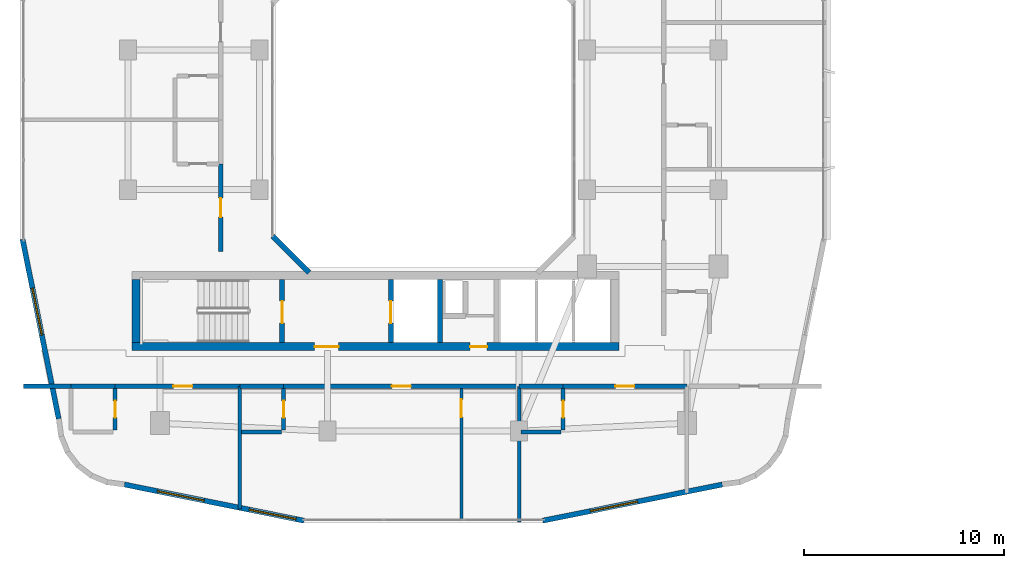
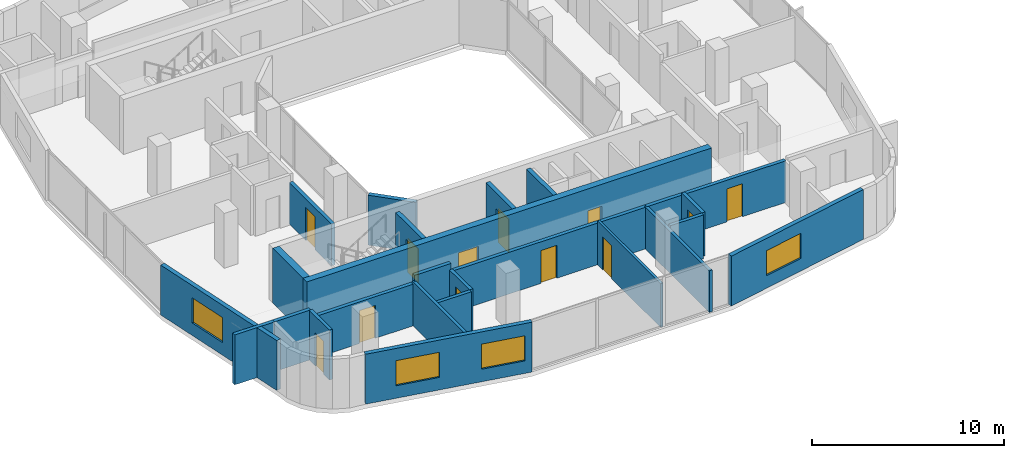
# One storey, part 12 of 26: 25 walls, 12 doors, 4 windows, 16 openings.
"""IFC4 building model written with IfcOpenShell, lengths in metres."""

from ifc_helpers import new_model, si_unit, derived_unit, direction, frame, frame_2d, origin, place, context, subcontext, project, spatial, rectangle, extrude, material, layer, layer_set, type_object, element, fill, save


model = new_model("IFC4")

# Units and contexts
model_context = context("Model", 3, precision=1e-05, world=origin(), true_north=direction((0.0, 1.0)))
body_context = subcontext(model_context, "Body", "Model", "MODEL_VIEW")
ifc_project = project(units=[si_unit("LENGTHUNIT", "METRE"), si_unit("AREAUNIT", "SQUARE_METRE"), si_unit("VOLUMEUNIT", "CUBIC_METRE"), si_unit("PLANEANGLEUNIT", "RADIAN"), si_unit("MASSUNIT", "GRAM", prefix="KILO"), derived_unit("THERMALTRANSMITTANCEUNIT", [(si_unit("POWERUNIT", "WATT"), 1), (si_unit("LENGTHUNIT", "METRE"), -2), (si_unit("THERMODYNAMICTEMPERATUREUNIT", "KELVIN"), -1)])], contexts=[model_context])

# Site, building, storey
site_placement = place(None, origin())
site = spatial("IfcSite", under=ifc_project, at=site_placement, CompositionType="ELEMENT")
building_placement = place(site_placement, origin())
building = spatial("IfcBuilding", under=site, at=building_placement, Name="Kivonza Crest Hotel", CompositionType="ELEMENT")
storey_placement = place(building_placement, frame((0.0, 0.0, 116.0)))
storey = spatial("IfcBuildingStorey", under=building, at=storey_placement, Name="L31", CompositionType="ELEMENT", Elevation=116.0)

# Walls
ifc_material_1 = material(Name="High-density acoustic masonry inter-tenancy wall", Category="masonry")
ifc_layer_1 = layer(ifc_material_1, 0.179931640625)
ifc_layer_set_1 = layer_set([ifc_layer_1], Name="High-density acoustic masonry inter-tenancy wall")
wall_type_1 = type_object("IfcWallType", Name="WL-ACOU-180", PredefinedType="SOLIDWALL", material=ifc_layer_set_1)
wall_1_placement = place(storey_placement, frame((11.800048828125, 5.492919921875, 0.0), z_axis=(0.0, 0.0, 1.0), x_axis=(0.0, 1.0, 0.0)))
element("IfcWall", 1, at=wall_1_placement, inside=storey, type_object=wall_type_1, Name="L31 interior partition WA-L31-T1S-DIV1", PredefinedType="SOLIDWALL", context=body_context, shape_type="SweptSolid", body=[
    extrude(rectangle(XDim=6.156982421875, YDim=0.179931640625, at=frame_2d((3.07861328125, 0.0))), origin(), (0.0, 0.0, 1.0), 2.794921875),
])
wall_2_placement = place(storey_placement, frame((25.800048828125, 4.860107421875, 0.0), z_axis=(0.0, 0.0, 1.0), x_axis=(0.0, 1.0, 0.0)))
element("IfcWall", 2, at=wall_2_placement, inside=storey, type_object=wall_type_1, Name="L31 interior partition WA-L31-T1S-DIV2", PredefinedType="SOLIDWALL", context=body_context, shape_type="SweptSolid", body=[
    extrude(rectangle(XDim=6.789794921875, YDim=0.179931640625, at=frame_2d((3.39501953125, 0.0))), origin(), (0.0, 0.0, 1.0), 2.655029296875),
])
ifc_material_2 = material(Name="Autoclaved aerated concrete blockwork", Category="masonry")
ifc_layer_2 = layer(ifc_material_2, 0.219970703125)
ifc_layer_set_2 = layer_set([ifc_layer_2], Name="Autoclaved aerated concrete blockwork")
wall_type_2 = type_object("IfcWallType", Name="WL-ACOU-220", PredefinedType="SOLIDWALL", material=ifc_layer_set_2)
wall_3_placement = place(storey_placement, frame((0.9599609375, 11.64990234375, 0.0), z_axis=(0.0, 0.0, 1.0), x_axis=(1.0, 0.0, 0.0)))
element("IfcWall", 3, at=wall_3_placement, inside=storey, type_object=wall_type_2, Name="L31 interior partition WA-L31-S04-XCORR", PredefinedType="SOLIDWALL", context=body_context, shape_type="SweptSolid", body=[
    extrude(rectangle(XDim=2.39013671875, YDim=0.219970703125, at=frame_2d((1.195068359375, 0.0))), origin(), (0.0, 0.0, 1.0), 3.179931640625),
])
wall_4_placement = place(storey_placement, frame((3.35009765625, 11.64990234375, 0.0), z_axis=(0.0, 0.0, 1.0), x_axis=(1.0, 0.0, 0.0)))
element("IfcWall", 4, at=wall_4_placement, inside=storey, type_object=wall_type_2, Name="L31 interior partition WA-L31-S04-BCORR", PredefinedType="SOLIDWALL", context=body_context, shape_type="SweptSolid", body=[
    extrude(rectangle(XDim=2.199951171875, YDim=0.219970703125, at=frame_2d((1.10009765625, 0.0))), origin(), (0.0, 0.0, 1.0), 3.179931640625),
])

# Wall, opening, door
wall_5_placement = place(storey_placement, frame((5.550048828125, 11.64990234375, 0.0), z_axis=(0.0, 0.0, 1.0), x_axis=(1.0, 0.0, 0.0)))
wall_5 = element("IfcWall", 5, at=wall_5_placement, inside=storey, type_object=wall_type_2, Name="L31 interior partition WA-L31-S04-MCORR", PredefinedType="SOLIDWALL", context=body_context, shape_type="SweptSolid", body=[
    extrude(rectangle(XDim=6.25, YDim=0.219970703125, at=frame_2d((3.125, 0.0))), origin(), (0.0, 0.0, 1.0), 2.655029296875),
])
opening_1_placement = place(wall_5_placement, frame((2.929931640625, 0.0, 0.0)))
opening_1 = element("IfcOpeningElement", 6, at=opening_1_placement, cuts=wall_5, Name="Opening DU-60", PredefinedType="OPENING", context=body_context, shape_type="SweptSolid", body=[
    extrude(rectangle(XDim=0.949951171875, YDim=2.10009765625, at=frame_2d((0.47509765625, 1.050048828125))), frame((0.0, 0.1201171875, 0.0), z_axis=(0.0, -1.0, 0.0), x_axis=(1.0, 0.0, 0.0)), (0.0, 0.0, 1.0), 0.239990234375),
])
ifc_material_3 = material(Name="Hardwood timber oak", Category="wood")
door_type_1 = type_object("IfcDoorType", Name="DR-UNIT-950", OperationType="NOTDEFINED", PredefinedType="DOOR", material=ifc_material_3)
door_1_placement = place(opening_1_placement, frame((0.949951171875, 0.0, 0.0), z_axis=(0.0, 0.0, 1.0), x_axis=(-1.0, 0.0, 0.0)))
door_1 = element("IfcDoor", 7, at=door_1_placement, inside=storey, type_object=door_type_1, Name="L31 S04 guest unit entrance fire door", OperationType="SINGLE_SWING_RIGHT", OverallHeight=2.10009765625, OverallWidth=0.949951171875, PredefinedType="DOOR", context=body_context, shape_type="SweptSolid", body=[
    extrude(rectangle(XDim=0.949951171875, YDim=2.10009765625, at=frame_2d((0.47509765625, 1.050048828125))), frame((0.0, 0.02490234375, 0.0), z_axis=(0.0, -1.0, 0.0), x_axis=(1.0, 0.0, 0.0)), (0.0, 0.0, 1.0), 0.050048828125),
])
fill(opening_1, door_1)

# Wall
wall_6_placement = place(storey_placement, frame((11.800048828125, 11.64990234375, 0.0), z_axis=(0.0, 0.0, 1.0), x_axis=(1.0, 0.0, 0.0)))
element("IfcWall", 8, at=wall_6_placement, inside=storey, type_object=wall_type_2, Name="L31 interior partition WA-L31-S05-BCORR", PredefinedType="SOLIDWALL", context=body_context, shape_type="SweptSolid", body=[
    extrude(rectangle(XDim=2.199951171875, YDim=0.219970703125, at=frame_2d((1.10009765625, 0.0))), origin(), (0.0, 0.0, 1.0), 3.179931640625),
])

# Wall, opening, door
wall_7_placement = place(storey_placement, frame((14.0, 11.64990234375, 0.0), z_axis=(0.0, 0.0, 1.0), x_axis=(1.0, 0.0, 0.0)))
wall_7 = element("IfcWall", 9, at=wall_7_placement, inside=storey, type_object=wall_type_2, Name="L31 interior partition WA-L31-S05-MCORR", PredefinedType="SOLIDWALL", context=body_context, shape_type="SweptSolid", body=[
    extrude(rectangle(XDim=11.800048828125, YDim=0.219970703125, at=frame_2d((5.89990234375, 0.0))), origin(), (0.0, 0.0, 1.0), 2.655029296875),
])
opening_2_placement = place(wall_7_placement, frame((5.425048828125, 0.0, 0.0)))
opening_2 = element("IfcOpeningElement", 10, at=opening_2_placement, cuts=wall_7, Name="Opening DU-60", PredefinedType="OPENING", context=body_context, shape_type="SweptSolid", body=[
    extrude(rectangle(XDim=0.949951171875, YDim=2.10009765625, at=frame_2d((0.47509765625, 1.050048828125))), frame((0.0, 0.1201171875, 0.0), z_axis=(0.0, -1.0, 0.0), x_axis=(1.0, 0.0, 0.0)), (0.0, 0.0, 1.0), 0.239990234375),
])
door_2_placement = place(opening_2_placement, frame((0.949951171875, 0.0, 0.0), z_axis=(0.0, 0.0, 1.0), x_axis=(-1.0, 0.0, 0.0)))
door_2 = element("IfcDoor", 11, at=door_2_placement, inside=storey, type_object=door_type_1, Name="L31 S05 guest unit entrance fire door", OperationType="SINGLE_SWING_LEFT", OverallHeight=2.10009765625, OverallWidth=0.949951171875, PredefinedType="DOOR", context=body_context, shape_type="SweptSolid", body=[
    extrude(rectangle(XDim=0.949951171875, YDim=2.10009765625, at=frame_2d((0.47509765625, 1.050048828125))), frame((0.0, 0.02490234375, 0.0), z_axis=(0.0, -1.0, 0.0), x_axis=(1.0, 0.0, 0.0)), (0.0, 0.0, 1.0), 0.050048828125),
])
fill(opening_2, door_2)

# Wall
wall_8_placement = place(storey_placement, frame((25.800048828125, 11.64990234375, 0.0), z_axis=(0.0, 0.0, 1.0), x_axis=(1.0, 0.0, 0.0)))
element("IfcWall", 12, at=wall_8_placement, inside=storey, type_object=wall_type_2, Name="L31 interior partition WA-L31-S06-BCORR", PredefinedType="SOLIDWALL", context=body_context, shape_type="SweptSolid", body=[
    extrude(rectangle(XDim=2.199951171875, YDim=0.219970703125, at=frame_2d((1.10009765625, 0.0))), origin(), (0.0, 0.0, 1.0), 2.655029296875),
])

# Wall, opening, door
wall_9_placement = place(storey_placement, frame((28.0, 11.64990234375, 0.0), z_axis=(0.0, 0.0, 1.0), x_axis=(1.0, 0.0, 0.0)))
wall_9 = element("IfcWall", 13, at=wall_9_placement, inside=storey, type_object=wall_type_2, Name="L31 interior partition WA-L31-S06-MCORR", PredefinedType="SOLIDWALL", context=body_context, shape_type="SweptSolid", body=[
    extrude(rectangle(XDim=6.199951171875, YDim=0.219970703125, at=frame_2d((3.10009765625, 0.0))), origin(), (0.0, 0.0, 1.0), 2.655029296875),
])
opening_3_placement = place(wall_9_placement, frame((2.625, 0.0, 0.0)))
opening_3 = element("IfcOpeningElement", 14, at=opening_3_placement, cuts=wall_9, Name="Opening DU-60", PredefinedType="OPENING", context=body_context, shape_type="SweptSolid", body=[
    extrude(rectangle(XDim=0.949951171875, YDim=2.10009765625, at=frame_2d((0.47509765625, 1.050048828125))), frame((0.0, 0.1201171875, 0.0), z_axis=(0.0, -1.0, 0.0), x_axis=(1.0, 0.0, 0.0)), (0.0, 0.0, 1.0), 0.239990234375),
])
door_3_placement = place(opening_3_placement, frame((0.949951171875, 0.0, 0.0), z_axis=(0.0, 0.0, 1.0), x_axis=(-1.0, 0.0, 0.0)))
door_3 = element("IfcDoor", 15, at=door_3_placement, inside=storey, type_object=door_type_1, Name="L31 S06 guest unit entrance fire door", OperationType="SINGLE_SWING_RIGHT", OverallHeight=2.10009765625, OverallWidth=0.949951171875, PredefinedType="DOOR", context=body_context, shape_type="SweptSolid", body=[
    extrude(rectangle(XDim=0.949951171875, YDim=2.10009765625, at=frame_2d((0.47509765625, 1.050048828125))), frame((0.0, 0.02490234375, 0.0), z_axis=(0.0, -1.0, 0.0), x_axis=(1.0, 0.0, 0.0)), (0.0, 0.0, 1.0), 0.050048828125),
])
fill(opening_3, door_3)

wall_10_placement = place(storey_placement, frame((10.85009765625, 18.39990234375, 0.0), z_axis=(0.0, 0.0, 1.0), x_axis=(0.0, 1.0, 0.0)))
wall_10 = element("IfcWall", 16, at=wall_10_placement, inside=storey, type_object=wall_type_2, Name="L31 interior partition WA-L31-W07-MCORR", PredefinedType="SOLIDWALL", context=body_context, shape_type="SweptSolid", body=[
    extrude(rectangle(XDim=4.400146484375, YDim=0.219970703125, at=frame_2d((2.2001953125, 0.0))), origin(), (0.0, 0.0, 1.0), 2.655029296875),
])
opening_4_placement = place(wall_10_placement, frame((1.72509765625, 0.0, 0.0)))
opening_4 = element("IfcOpeningElement", 17, at=opening_4_placement, cuts=wall_10, Name="Opening DU-60", PredefinedType="OPENING", context=body_context, shape_type="SweptSolid", body=[
    extrude(rectangle(XDim=0.949951171875, YDim=2.10009765625, at=frame_2d((0.47509765625, 1.050048828125))), frame((0.0, 0.1201171875, 0.0), z_axis=(0.0, -1.0, 0.0), x_axis=(1.0, 0.0, 0.0)), (0.0, 0.0, 1.0), 0.239990234375),
])
door_4_placement = place(opening_4_placement, origin())
door_4 = element("IfcDoor", 18, at=door_4_placement, inside=storey, type_object=door_type_1, Name="L31 W07 guest unit entrance fire door", OperationType="SINGLE_SWING_LEFT", OverallHeight=2.10009765625, OverallWidth=0.949951171875, PredefinedType="DOOR", context=body_context, shape_type="SweptSolid", body=[
    extrude(rectangle(XDim=0.949951171875, YDim=2.10009765625, at=frame_2d((0.47509765625, 1.050048828125))), frame((0.0, 0.02490234375, 0.0), z_axis=(0.0, -1.0, 0.0), x_axis=(1.0, 0.0, 0.0)), (0.0, 0.0, 1.0), 0.050048828125),
])
fill(opening_4, door_4)

# Wall, openings, doors
ifc_material_4 = material(Name="Concrete C50/60", Category="concrete")
ifc_layer_3 = layer(ifc_material_4, 0.39990234375)
ifc_layer_set_3 = layer_set([ifc_layer_3], Name="Concrete C50/60")
wall_type_3 = type_object("IfcWallType", Name="WL-CORE-400", PredefinedType="SHEAR", material=ifc_layer_set_3)
wall_11_placement = place(storey_placement, frame((6.39990234375, 13.639892578125, 0.0), z_axis=(0.0, 0.0, 1.0), x_axis=(1.0, 0.0, 0.0)))
wall_11 = element("IfcWall", 19, at=wall_11_placement, inside=storey, type_object=wall_type_3, Name="Core wall T1-S South L31", PredefinedType="SHEAR", context=body_context, shape_type="SweptSolid", body=[
    extrude(rectangle(XDim=24.400146484375, YDim=0.39990234375, at=frame_2d((12.2001953125, 0.0))), origin(), (0.0, 0.0, 1.0), 3.5),
])
opening_5_placement = place(wall_11_placement, frame((9.14990234375, 0.0, 0.0)))
opening_5 = element("IfcOpeningElement", 20, at=opening_5_placement, cuts=wall_11, Name="Opening DF-60", PredefinedType="OPENING", context=body_context, shape_type="SweptSolid", body=[
    extrude(rectangle(XDim=1.199951171875, YDim=2.14990234375, at=frame_2d((0.60009765625, 1.074951171875))), frame((0.0, 0.2099609375, 0.0), z_axis=(0.0, -1.0, 0.0), x_axis=(1.0, 0.0, 0.0)), (0.0, 0.0, 1.0), 0.419921875),
])
opening_6_placement = place(wall_11_placement, frame((16.93994140625, 0.0, 0.0)))
opening_6 = element("IfcOpeningElement", 21, at=opening_6_placement, cuts=wall_11, Name="Opening DF-60R", PredefinedType="OPENING", context=body_context, shape_type="SweptSolid", body=[
    extrude(rectangle(XDim=0.85009765625, YDim=2.10009765625, at=frame_2d((0.425048828125, 1.050048828125))), frame((0.0, 0.2099609375, 0.0), z_axis=(0.0, -1.0, 0.0), x_axis=(1.0, 0.0, 0.0)), (0.0, 0.0, 1.0), 0.419921875),
])
door_type_2 = type_object("IfcDoorType", Name="DR-FD60-1200", OperationType="NOTDEFINED", PredefinedType="DOOR", material=ifc_material_3)
door_5_placement = place(opening_5_placement, frame((1.199951171875, 0.0, 0.0), z_axis=(0.0, 0.0, 1.0), x_axis=(-1.0, 0.0, 0.0)))
door_5 = element("IfcDoor", 22, at=door_5_placement, inside=storey, type_object=door_type_2, Name="L31 T1-S firefighting lobby fire door", OperationType="SINGLE_SWING_LEFT", OverallHeight=2.14990234375, OverallWidth=1.199951171875, PredefinedType="DOOR", context=body_context, shape_type="SweptSolid", body=[
    extrude(rectangle(XDim=1.199951171875, YDim=2.14990234375, at=frame_2d((0.60009765625, 1.074951171875))), frame((0.0, 0.02490234375, 0.0), z_axis=(0.0, -1.0, 0.0), x_axis=(1.0, 0.0, 0.0)), (0.0, 0.0, 1.0), 0.050048828125),
])
fill(opening_5, door_5)
door_type_3 = type_object("IfcDoorType", Name="DR-FD60-850", OperationType="NOTDEFINED", PredefinedType="DOOR", material=ifc_material_3)
door_6_placement = place(opening_6_placement, frame((0.85009765625, 0.0, 0.0), z_axis=(0.0, 0.0, 1.0), x_axis=(-1.0, 0.0, 0.0)))
door_6 = element("IfcDoor", 23, at=door_6_placement, inside=storey, type_object=door_type_3, Name="L31 T1-S core room door", OperationType="SINGLE_SWING_RIGHT", OverallHeight=2.10009765625, OverallWidth=0.85009765625, PredefinedType="DOOR", context=body_context, shape_type="SweptSolid", body=[
    extrude(rectangle(XDim=0.85009765625, YDim=2.10009765625, at=frame_2d((0.425048828125, 1.050048828125))), frame((0.0, 0.02490234375, 0.0), z_axis=(0.0, -1.0, 0.0), x_axis=(1.0, 0.0, 0.0)), (0.0, 0.0, 1.0), 0.050048828125),
])
fill(opening_6, door_6)

# Wall
wall_12_placement = place(storey_placement, frame((6.60009765625, 13.840087890625, 0.0), z_axis=(0.0, 0.0, 1.0), x_axis=(0.0, 1.0, 0.0)))
element("IfcWall", 24, at=wall_12_placement, inside=storey, type_object=wall_type_3, Name="Core wall T1-S West L31", PredefinedType="SHEAR", context=body_context, shape_type="SweptSolid", body=[
    extrude(rectangle(XDim=3.159912109375, YDim=0.39990234375, at=frame_2d((1.580078125, 0.0))), origin(), (0.0, 0.0, 1.0), 3.5),
])

# Wall, openings, windows
ifc_material_5 = material(Name="Precast concrete C40/50", Category="concrete")
ifc_layer_4 = layer(ifc_material_5, 0.260009765625)
ifc_layer_set_4 = layer_set([ifc_layer_4], Name="Precast concrete C40/50")
wall_type_4 = type_object("IfcWallType", Name="WL-EXT-260", PredefinedType="STANDARD", material=ifc_layer_set_4)
wall_13_placement = place(storey_placement, frame((6.01806640625, 6.72900390625, 0.0), z_axis=(0.0, 0.0, 1.0), x_axis=(0.980315963543, -0.197435082048, 0.0)))
wall_13 = element("IfcWall", 25, at=wall_13_placement, inside=storey, type_object=wall_type_4, Name="L31 T1 exterior insulated wall 7", PredefinedType="STANDARD", context=body_context, shape_type="SweptSolid", body=[
    extrude(rectangle(XDim=9.1826171875, YDim=0.260009765625, at=frame_2d((4.59130859375, 0.0))), origin(), (0.0, 0.0, 1.0), 3.179931640625),
])
opening_7_placement = place(wall_13_placement, frame((1.68701171875, 0.0, 0.800048828125)))
opening_7 = element("IfcOpeningElement", 26, at=opening_7_placement, cuts=wall_13, Name="Opening WN-05", PredefinedType="OPENING", context=body_context, shape_type="SweptSolid", body=[
    extrude(rectangle(XDim=2.39990234375, YDim=1.60009765625, at=frame_2d((1.199951171875, 0.800048828125))), frame((0.0, 0.14013671875, 0.0), z_axis=(0.0, -1.0, 0.0), x_axis=(1.0, 0.0, 0.0)), (0.0, 0.0, 1.0), 0.280029296875),
])
opening_8_placement = place(wall_13_placement, frame((6.376953125, 0.0, 0.800048828125)))
opening_8 = element("IfcOpeningElement", 27, at=opening_8_placement, cuts=wall_13, Name="Opening WN-05", PredefinedType="OPENING", context=body_context, shape_type="SweptSolid", body=[
    extrude(rectangle(XDim=2.39990234375, YDim=1.60009765625, at=frame_2d((1.199951171875, 0.800048828125))), frame((0.0, 0.14013671875, 0.0), z_axis=(0.0, -1.0, 0.0), x_axis=(1.0, 0.0, 0.0)), (0.0, 0.0, 1.0), 0.280029296875),
])
ifc_material_6 = material(Name="Thermally broken bronze aluminium and low-E double glazing", Category="aluminium")
window_type = type_object("IfcWindowType", Name="WN-240x160", PartitioningType="TRIPLE_PANEL_VERTICAL", PredefinedType="WINDOW", material=ifc_material_6)
window_1_placement = place(opening_7_placement, origin())
window_1 = element("IfcWindow", 28, at=window_1_placement, inside=storey, type_object=window_type, Name="L31 T1 facade window 7 bay 1", OverallHeight=1.60009765625, OverallWidth=2.39990234375, PartitioningType="SINGLE_PANEL", PredefinedType="WINDOW", context=body_context, shape_type="SweptSolid", body=[
    extrude(rectangle(XDim=2.39990234375, YDim=1.60009765625, at=frame_2d((1.199951171875, 0.800048828125))), frame((0.0, 0.030029296875, 0.0), z_axis=(0.0, -1.0, 0.0), x_axis=(1.0, 0.0, 0.0)), (0.0, 0.0, 1.0), 0.06005859375),
])
fill(opening_7, window_1)
window_2_placement = place(opening_8_placement, origin())
window_2 = element("IfcWindow", 29, at=window_2_placement, inside=storey, type_object=window_type, Name="L31 T1 facade window 7 bay 2", OverallHeight=1.60009765625, OverallWidth=2.39990234375, PartitioningType="SINGLE_PANEL", PredefinedType="WINDOW", context=body_context, shape_type="SweptSolid", body=[
    extrude(rectangle(XDim=2.39990234375, YDim=1.60009765625, at=frame_2d((1.199951171875, 0.800048828125))), frame((0.0, 0.030029296875, 0.0), z_axis=(0.0, -1.0, 0.0), x_axis=(1.0, 0.0, 0.0)), (0.0, 0.0, 1.0), 0.06005859375),
])
fill(opening_8, window_2)

# Wall, opening, window
wall_14_placement = place(storey_placement, frame((26.97998046875, 4.916015625, 0.0), z_axis=(0.0, 0.0, 1.0), x_axis=(0.980315963543, 0.197435082048, 0.0)))
wall_14 = element("IfcWall", 30, at=wall_14_placement, inside=storey, type_object=wall_type_4, Name="L31 T1 exterior insulated wall 9", PredefinedType="STANDARD", context=body_context, shape_type="SweptSolid", body=[
    extrude(rectangle(XDim=9.1826171875, YDim=0.260009765625, at=frame_2d((4.59130859375, 0.0))), origin(), (0.0, 0.0, 1.0), 3.179931640625),
])
opening_9_placement = place(wall_14_placement, frame((2.445068359375, 0.0, 0.800048828125)))
opening_9 = element("IfcOpeningElement", 31, at=opening_9_placement, cuts=wall_14, Name="Opening WN-05", PredefinedType="OPENING", context=body_context, shape_type="SweptSolid", body=[
    extrude(rectangle(XDim=2.39990234375, YDim=1.60009765625, at=frame_2d((1.199951171875, 0.800048828125))), frame((0.0, 0.14013671875, 0.0), z_axis=(0.0, -1.0, 0.0), x_axis=(1.0, 0.0, 0.0)), (0.0, 0.0, 1.0), 0.280029296875),
])
window_3_placement = place(opening_9_placement, origin())
window_3 = element("IfcWindow", 32, at=window_3_placement, inside=storey, type_object=window_type, Name="L31 T1 facade window 9", OverallHeight=1.60009765625, OverallWidth=2.39990234375, PartitioningType="SINGLE_PANEL", PredefinedType="WINDOW", context=body_context, shape_type="SweptSolid", body=[
    extrude(rectangle(XDim=2.39990234375, YDim=1.60009765625, at=frame_2d((1.199951171875, 0.800048828125))), frame((0.0, 0.030029296875, 0.0), z_axis=(0.0, -1.0, 0.0), x_axis=(1.0, 0.0, 0.0)), (0.0, 0.0, 1.0), 0.06005859375),
])
fill(opening_9, window_3)

wall_15_placement = place(storey_placement, frame((0.916015625, 19.02001953125, 0.0), z_axis=(0.0, 0.0, 1.0), x_axis=(0.197435082048, -0.980315963543, 0.0)))
wall_15 = element("IfcWall", 33, at=wall_15_placement, inside=storey, type_object=wall_type_4, Name="L31 T1 exterior insulated wall 36", PredefinedType="STANDARD", context=body_context, shape_type="SweptSolid", body=[
    extrude(rectangle(XDim=9.1826171875, YDim=0.260009765625, at=frame_2d((4.59130859375, 0.0))), origin(), (0.0, 0.0, 1.0), 3.179931640625),
])
opening_10_placement = place(wall_15_placement, frame((2.4970703125, 0.0, 0.800048828125)))
opening_10 = element("IfcOpeningElement", 34, at=opening_10_placement, cuts=wall_15, Name="Opening WN-05", PredefinedType="OPENING", context=body_context, shape_type="SweptSolid", body=[
    extrude(rectangle(XDim=2.39990234375, YDim=1.60009765625, at=frame_2d((1.199951171875, 0.800048828125))), frame((0.0, 0.14013671875, 0.0), z_axis=(0.0, -1.0, 0.0), x_axis=(1.0, 0.0, 0.0)), (0.0, 0.0, 1.0), 0.280029296875),
])
window_4_placement = place(opening_10_placement, origin())
window_4 = element("IfcWindow", 35, at=window_4_placement, inside=storey, type_object=window_type, Name="L31 T1 facade window 36", OverallHeight=1.60009765625, OverallWidth=2.39990234375, PartitioningType="SINGLE_PANEL", PredefinedType="WINDOW", context=body_context, shape_type="SweptSolid", body=[
    extrude(rectangle(XDim=2.39990234375, YDim=1.60009765625, at=frame_2d((1.199951171875, 0.800048828125))), frame((0.0, 0.030029296875, 0.0), z_axis=(0.0, -1.0, 0.0), x_axis=(1.0, 0.0, 0.0)), (0.0, 0.0, 1.0), 0.06005859375),
])
fill(opening_10, window_4)

# Wall
wall_16_placement = place(storey_placement, frame((13.444091796875, 19.172119140625, 0.0), z_axis=(0.0, 0.0, 1.0), x_axis=(0.707059717605, -0.707153841636, 0.0)))
element("IfcWall", 36, at=wall_16_placement, inside=storey, type_object=wall_type_4, Name="L31 T1 light-well exterior wall 8", PredefinedType="STANDARD", context=body_context, shape_type="SweptSolid", body=[
    extrude(rectangle(XDim=2.59375, YDim=0.260009765625, at=frame_2d((1.296875, 0.0))), origin(), (0.0, 0.0, 1.0), 3.179931640625),
])

# Wall, opening, door
ifc_material_7 = material(Name="Twin-stud acoustic gypsum board partition", Category="gypsum")
ifc_layer_5 = layer(ifc_material_7, 0.14990234375)
ifc_layer_set_5 = layer_set([ifc_layer_5], Name="Twin-stud acoustic gypsum board partition")
wall_type_5 = type_object("IfcWallType", Name="WL-PART-150", PredefinedType="PARTITIONING", material=ifc_layer_set_5)
wall_17_placement = place(storey_placement, frame((22.89990234375, 4.9599609375, 0.0), z_axis=(0.0, 0.0, 1.0), x_axis=(0.0, 1.0, 0.0)))
wall_17 = element("IfcWall", 37, at=wall_17_placement, inside=storey, type_object=wall_type_5, Name="L31 interior partition WP-L31-S05-SPSP", PredefinedType="PARTITIONING", context=body_context, shape_type="SweptSolid", body=[
    extrude(rectangle(XDim=6.590087890625, YDim=0.14990234375, at=frame_2d((3.294921875, 0.0))), origin(), (0.0, 0.0, 1.0), 2.794921875),
])
opening_11_placement = place(wall_17_placement, frame((5.139892578125, 0.0, 0.0)))
opening_11 = element("IfcOpeningElement", 38, at=opening_11_placement, cuts=wall_17, Name="Opening DI-90", PredefinedType="OPENING", context=body_context, shape_type="SweptSolid", body=[
    extrude(rectangle(XDim=0.89990234375, YDim=2.10009765625, at=frame_2d((0.449951171875, 1.050048828125))), frame((0.0, 0.0849609375, 0.0), z_axis=(0.0, -1.0, 0.0), x_axis=(1.0, 0.0, 0.0)), (0.0, 0.0, 1.0), 0.169921875),
])
door_type_4 = type_object("IfcDoorType", Name="DR-INT-900", OperationType="NOTDEFINED", PredefinedType="DOOR", material=ifc_material_3)
door_7_placement = place(opening_11_placement, origin())
door_7 = element("IfcDoor", 39, at=door_7_placement, inside=storey, type_object=door_type_4, Name="L31 S05 suite bedroom door", OperationType="SINGLE_SWING_RIGHT", OverallHeight=2.10009765625, OverallWidth=0.89990234375, PredefinedType="DOOR", context=body_context, shape_type="SweptSolid", body=[
    extrude(rectangle(XDim=0.89990234375, YDim=2.10009765625, at=frame_2d((0.449951171875, 1.050048828125))), frame((0.0, 0.02490234375, 0.0), z_axis=(0.0, -1.0, 0.0), x_axis=(1.0, 0.0, 0.0)), (0.0, 0.0, 1.0), 0.050048828125),
])
fill(opening_11, door_7)

ifc_material_8 = material(Name="Moisture-resistant plumbing chase partition wall", Category="gypsum")
ifc_layer_6 = layer(ifc_material_8, 0.199951171875)
ifc_layer_set_6 = layer_set([ifc_layer_6], Name="Moisture-resistant plumbing chase partition wall")
wall_type_6 = type_object("IfcWallType", Name="WL-PLUMB-200", PredefinedType="PLUMBINGWALL", material=ifc_layer_set_6)
wall_18_placement = place(storey_placement, frame((5.550048828125, 9.449951171875, 0.0), z_axis=(0.0, 0.0, 1.0), x_axis=(0.0, 1.0, 0.0)))
wall_18 = element("IfcWall", 40, at=wall_18_placement, inside=storey, type_object=wall_type_6, Name="L31 interior partition WW-L31-S04-BV", PredefinedType="PLUMBINGWALL", context=body_context, shape_type="SweptSolid", body=[
    extrude(rectangle(XDim=2.10009765625, YDim=0.199951171875, at=frame_2d((1.050048828125, 0.0))), origin(), (0.0, 0.0, 1.0), 3.179931640625),
])
opening_12_placement = place(wall_18_placement, frame((0.625, 0.0, 0.0)))
opening_12 = element("IfcOpeningElement", 41, at=opening_12_placement, cuts=wall_18, Name="Opening DI-85", PredefinedType="OPENING", context=body_context, shape_type="SweptSolid", body=[
    extrude(rectangle(XDim=0.85009765625, YDim=2.10009765625, at=frame_2d((0.425048828125, 1.050048828125))), frame((0.0, 0.10986328125, 0.0), z_axis=(0.0, -1.0, 0.0), x_axis=(1.0, 0.0, 0.0)), (0.0, 0.0, 1.0), 0.219970703125),
])
door_type_5 = type_object("IfcDoorType", Name="DR-INT-850", OperationType="NOTDEFINED", PredefinedType="DOOR", material=ifc_material_3)
door_8_placement = place(opening_12_placement, frame((0.85009765625, 0.0, 0.0), z_axis=(0.0, 0.0, 1.0), x_axis=(-1.0, 0.0, 0.0)))
door_8 = element("IfcDoor", 42, at=door_8_placement, inside=storey, type_object=door_type_5, Name="L31 S04 en-suite bathroom door", OperationType="SINGLE_SWING_LEFT", OverallHeight=2.10009765625, OverallWidth=0.85009765625, PredefinedType="DOOR", context=body_context, shape_type="SweptSolid", body=[
    extrude(rectangle(XDim=0.85009765625, YDim=2.10009765625, at=frame_2d((0.425048828125, 1.050048828125))), frame((0.0, 0.02490234375, 0.0), z_axis=(0.0, -1.0, 0.0), x_axis=(1.0, 0.0, 0.0)), (0.0, 0.0, 1.0), 0.050048828125),
])
fill(opening_12, door_8)

wall_19_placement = place(storey_placement, frame((14.0, 9.449951171875, 0.0), z_axis=(0.0, 0.0, 1.0), x_axis=(0.0, 1.0, 0.0)))
wall_19 = element("IfcWall", 43, at=wall_19_placement, inside=storey, type_object=wall_type_6, Name="L31 interior partition WW-L31-S05-BV", PredefinedType="PLUMBINGWALL", context=body_context, shape_type="SweptSolid", body=[
    extrude(rectangle(XDim=2.10009765625, YDim=0.199951171875, at=frame_2d((1.050048828125, 0.0))), origin(), (0.0, 0.0, 1.0), 2.794921875),
])
opening_13_placement = place(wall_19_placement, frame((0.625, 0.0, 0.0)))
opening_13 = element("IfcOpeningElement", 44, at=opening_13_placement, cuts=wall_19, Name="Opening DI-85", PredefinedType="OPENING", context=body_context, shape_type="SweptSolid", body=[
    extrude(rectangle(XDim=0.85009765625, YDim=2.10009765625, at=frame_2d((0.425048828125, 1.050048828125))), frame((0.0, 0.10986328125, 0.0), z_axis=(0.0, -1.0, 0.0), x_axis=(1.0, 0.0, 0.0)), (0.0, 0.0, 1.0), 0.219970703125),
])
door_9_placement = place(opening_13_placement, frame((0.85009765625, 0.0, 0.0), z_axis=(0.0, 0.0, 1.0), x_axis=(-1.0, 0.0, 0.0)))
door_9 = element("IfcDoor", 45, at=door_9_placement, inside=storey, type_object=door_type_5, Name="L31 S05 en-suite bathroom door", OperationType="SINGLE_SWING_RIGHT", OverallHeight=2.10009765625, OverallWidth=0.85009765625, PredefinedType="DOOR", context=body_context, shape_type="SweptSolid", body=[
    extrude(rectangle(XDim=0.85009765625, YDim=2.10009765625, at=frame_2d((0.425048828125, 1.050048828125))), frame((0.0, 0.02490234375, 0.0), z_axis=(0.0, -1.0, 0.0), x_axis=(1.0, 0.0, 0.0)), (0.0, 0.0, 1.0), 0.050048828125),
])
fill(opening_13, door_9)

# Wall
wall_20_placement = place(storey_placement, frame((11.89990234375, 9.35009765625, 0.0), z_axis=(0.0, 0.0, 1.0), x_axis=(1.0, 0.0, 0.0)))
element("IfcWall", 46, at=wall_20_placement, inside=storey, type_object=wall_type_6, Name="L31 interior partition WW-L31-S05-BH", PredefinedType="PLUMBINGWALL", context=body_context, shape_type="SweptSolid", body=[
    extrude(rectangle(XDim=2.0, YDim=0.199951171875, at=frame_2d((1.0, 0.0))), origin(), (0.0, 0.0, 1.0), 2.794921875),
])

# Wall, opening, door
wall_21_placement = place(storey_placement, frame((28.0, 9.449951171875, 0.0), z_axis=(0.0, 0.0, 1.0), x_axis=(0.0, 1.0, 0.0)))
wall_21 = element("IfcWall", 47, at=wall_21_placement, inside=storey, type_object=wall_type_6, Name="L31 interior partition WW-L31-S06-BV", PredefinedType="PLUMBINGWALL", context=body_context, shape_type="SweptSolid", body=[
    extrude(rectangle(XDim=2.10009765625, YDim=0.199951171875, at=frame_2d((1.050048828125, 0.0))), origin(), (0.0, 0.0, 1.0), 2.794921875),
])
opening_14_placement = place(wall_21_placement, frame((0.625, 0.0, 0.0)))
opening_14 = element("IfcOpeningElement", 48, at=opening_14_placement, cuts=wall_21, Name="Opening DI-85", PredefinedType="OPENING", context=body_context, shape_type="SweptSolid", body=[
    extrude(rectangle(XDim=0.85009765625, YDim=2.10009765625, at=frame_2d((0.425048828125, 1.050048828125))), frame((0.0, 0.10986328125, 0.0), z_axis=(0.0, -1.0, 0.0), x_axis=(1.0, 0.0, 0.0)), (0.0, 0.0, 1.0), 0.219970703125),
])
door_10_placement = place(opening_14_placement, frame((0.85009765625, 0.0, 0.0), z_axis=(0.0, 0.0, 1.0), x_axis=(-1.0, 0.0, 0.0)))
door_10 = element("IfcDoor", 49, at=door_10_placement, inside=storey, type_object=door_type_5, Name="L31 S06 en-suite bathroom door", OperationType="SINGLE_SWING_LEFT", OverallHeight=2.10009765625, OverallWidth=0.85009765625, PredefinedType="DOOR", context=body_context, shape_type="SweptSolid", body=[
    extrude(rectangle(XDim=0.85009765625, YDim=2.10009765625, at=frame_2d((0.425048828125, 1.050048828125))), frame((0.0, 0.02490234375, 0.0), z_axis=(0.0, -1.0, 0.0), x_axis=(1.0, 0.0, 0.0)), (0.0, 0.0, 1.0), 0.050048828125),
])
fill(opening_14, door_10)

# Wall
wall_22_placement = place(storey_placement, frame((25.89990234375, 9.35009765625, 0.0), z_axis=(0.0, 0.0, 1.0), x_axis=(1.0, 0.0, 0.0)))
element("IfcWall", 50, at=wall_22_placement, inside=storey, type_object=wall_type_6, Name="L31 interior partition WW-L31-S06-BH", PredefinedType="PLUMBINGWALL", context=body_context, shape_type="SweptSolid", body=[
    extrude(rectangle(XDim=2.0, YDim=0.199951171875, at=frame_2d((1.0, 0.0))), origin(), (0.0, 0.0, 1.0), 2.794921875),
])

# Wall, opening, door
ifc_layer_7 = layer(ifc_material_4, 0.25)
ifc_layer_set_7 = layer_set([ifc_layer_7], Name="Concrete C50/60")
wall_type_7 = type_object("IfcWallType", Name="WL-SHAFT-250", PredefinedType="STANDARD", material=ifc_layer_set_7)
wall_23_placement = place(storey_placement, frame((13.925048828125, 13.840087890625, 0.0), z_axis=(0.0, 0.0, 1.0), x_axis=(0.0, 1.0, 0.0)))
wall_23 = element("IfcWall", 51, at=wall_23_placement, inside=storey, type_object=wall_type_7, Name="Core shaft wall T1-S STAIR L31", PredefinedType="STANDARD", context=body_context, shape_type="SweptSolid", body=[
    extrude(rectangle(XDim=3.159912109375, YDim=0.25, at=frame_2d((1.580078125, 0.0))), origin(), (0.0, 0.0, 1.0), 3.179931640625),
])
opening_15_placement = place(wall_23_placement, frame((0.97998046875, 0.0, 0.0)))
opening_15 = element("IfcOpeningElement", 52, at=opening_15_placement, cuts=wall_23, Name="Opening DF-120", PredefinedType="OPENING", context=body_context, shape_type="SweptSolid", body=[
    extrude(rectangle(XDim=1.10009765625, YDim=2.14990234375, at=frame_2d((0.550048828125, 1.074951171875))), frame((0.0, 0.135009765625, 0.0), z_axis=(0.0, -1.0, 0.0), x_axis=(1.0, 0.0, 0.0)), (0.0, 0.0, 1.0), 0.27001953125),
])
ifc_material_9 = material(Name="Galvanised steel", Category="steel")
door_type_6 = type_object("IfcDoorType", Name="DR-FD120-1100", OperationType="NOTDEFINED", PredefinedType="DOOR", material=ifc_material_9)
door_11_placement = place(opening_15_placement, frame((1.10009765625, 0.0, 0.0), z_axis=(0.0, 0.0, 1.0), x_axis=(-1.0, 0.0, 0.0)))
door_11 = element("IfcDoor", 53, at=door_11_placement, inside=storey, type_object=door_type_6, Name="L31 T1-S stair fire door", OperationType="SINGLE_SWING_RIGHT", OverallHeight=2.14990234375, OverallWidth=1.10009765625, PredefinedType="DOOR", context=body_context, shape_type="SweptSolid", body=[
    extrude(rectangle(XDim=1.10009765625, YDim=2.14990234375, at=frame_2d((0.550048828125, 1.074951171875))), frame((0.0, 0.02490234375, 0.0), z_axis=(0.0, -1.0, 0.0), x_axis=(1.0, 0.0, 0.0)), (0.0, 0.0, 1.0), 0.050048828125),
])
fill(opening_15, door_11)

wall_24_placement = place(storey_placement, frame((19.375, 13.840087890625, 0.0), z_axis=(0.0, 0.0, 1.0), x_axis=(0.0, 1.0, 0.0)))
wall_24 = element("IfcWall", 54, at=wall_24_placement, inside=storey, type_object=wall_type_7, Name="Core shaft wall T1-S FFL-W L31", PredefinedType="STANDARD", context=body_context, shape_type="SweptSolid", body=[
    extrude(rectangle(XDim=3.159912109375, YDim=0.25, at=frame_2d((1.580078125, 0.0))), origin(), (0.0, 0.0, 1.0), 3.179931640625),
])
opening_16_placement = place(wall_24_placement, frame((0.97998046875, 0.0, 0.0)))
opening_16 = element("IfcOpeningElement", 55, at=opening_16_placement, cuts=wall_24, Name="Opening LD-120", PredefinedType="OPENING", context=body_context, shape_type="SweptSolid", body=[
    extrude(rectangle(XDim=1.10009765625, YDim=2.14990234375, at=frame_2d((0.550048828125, 1.074951171875))), frame((0.0, 0.135009765625, 0.0), z_axis=(0.0, -1.0, 0.0), x_axis=(1.0, 0.0, 0.0)), (0.0, 0.0, 1.0), 0.27001953125),
])
ifc_material_10 = material(Name="Stainless steel", Category="steel")
door_type_7 = type_object("IfcDoorType", Name="DR-LD120-1100", OperationType="NOTDEFINED", PredefinedType="DOOR", material=ifc_material_10)
door_12_placement = place(opening_16_placement, origin())
door_12 = element("IfcDoor", 56, at=door_12_placement, inside=storey, type_object=door_type_7, Name="L31 FFL-T1-S firefighting lift sliding landing door", OperationType="DOUBLE_DOOR_SLIDING", OverallHeight=2.14990234375, OverallWidth=1.10009765625, PredefinedType="DOOR", context=body_context, shape_type="SweptSolid", body=[
    extrude(rectangle(XDim=1.10009765625, YDim=2.14990234375, at=frame_2d((0.550048828125, 1.074951171875))), frame((0.0, 0.02490234375, 0.0), z_axis=(0.0, -1.0, 0.0), x_axis=(1.0, 0.0, 0.0)), (0.0, 0.0, 1.0), 0.050048828125),
])
fill(opening_16, door_12)

# Wall
wall_25_placement = place(storey_placement, frame((21.824951171875, 13.840087890625, 0.0), z_axis=(0.0, 0.0, 1.0), x_axis=(0.0, 1.0, 0.0)))
element("IfcWall", 57, at=wall_25_placement, inside=storey, type_object=wall_type_7, Name="Core shaft wall T1-S FFL-E L31", PredefinedType="STANDARD", context=body_context, shape_type="SweptSolid", body=[
    extrude(rectangle(XDim=3.159912109375, YDim=0.25, at=frame_2d((1.580078125, 0.0))), origin(), (0.0, 0.0, 1.0), 3.179931640625),
])

save(model, "model.ifc")
